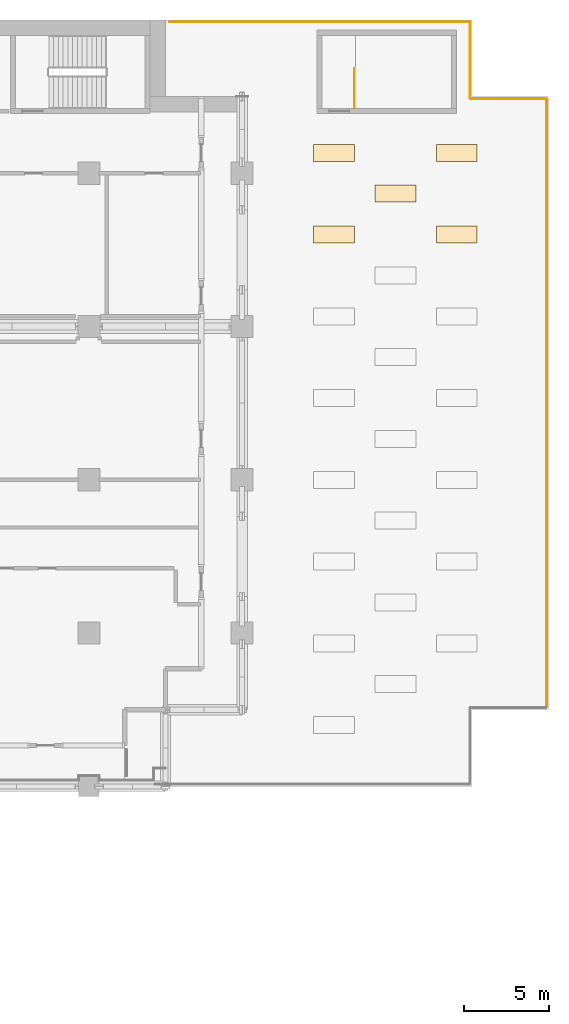
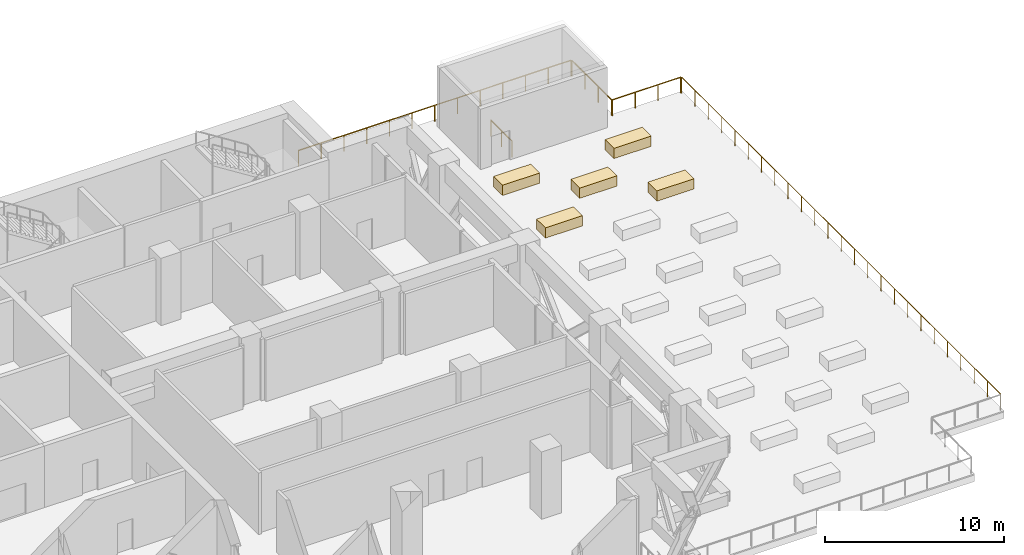
# One storey, part 22 of 22: 5 coverings, 5 railings.
"""IFC4 building model written with IfcOpenShell, lengths in metres."""

from ifc_helpers import new_model, si_unit, direction, frame, origin, origin_2d, place, context, subcontext, project, spatial, polyline, circle, outline, extrude, material, type_object, element, save


model = new_model("IFC4")

# Units and contexts
model_context = context("Model", 3, precision=1e-05, world=origin(), true_north=direction((0.0, 1.0)))
body_context = subcontext(model_context, "Body", "Model", "MODEL_VIEW")
ifc_project = project(units=[si_unit("LENGTHUNIT", "METRE"), si_unit("AREAUNIT", "SQUARE_METRE"), si_unit("VOLUMEUNIT", "CUBIC_METRE"), si_unit("PLANEANGLEUNIT", "RADIAN"), si_unit("MASSUNIT", "GRAM", prefix="KILO")], contexts=[model_context])

# Site, building, storey
site_placement = place(None, origin())
site = spatial("IfcSite", under=ifc_project, at=site_placement, CompositionType="ELEMENT")
building_placement = place(site_placement, origin())
building = spatial("IfcBuilding", under=site, at=building_placement, Name="Hunhe Ridgeline Campus", CompositionType="ELEMENT")
storey_placement = place(building_placement, frame((0.0, 0.0, 129.199951171875)))
storey = spatial("IfcBuildingStorey", under=building, at=storey_placement, Name="L32", CompositionType="ELEMENT", Elevation=129.199951171875)

# Railings
ifc_material_1 = material(Name="Steel Q355", Category="steel")
railing_type_1 = type_object("IfcRailingType", Name="Loggia guard 1100 Steel Q355", PredefinedType="GUARDRAIL", material=ifc_material_1)
railing_1_placement = place(storey_placement, frame((58.75, 98.8798828125, 0.080078125)))
element("IfcRailing", 1, at=railing_1_placement, inside=storey, type_object=railing_type_1, Name="Terrace guard 2", PredefinedType="GUARDRAIL", context=body_context, shape_type="SweptSolid", body=[
    extrude(circle(Radius=0.02392578125, at=origin_2d()), frame((0.0, 0.0, 1.076171875), z_axis=(1.0, 0.0, 0.0), x_axis=(0.0, 1.0, 0.0)), (0.0, 0.0, 1.0), 17.590087890625),
    extrude(circle(Radius=0.02099609375, at=origin_2d()), origin(), (0.0, 0.0, 1.0), 1.052001953125),
    extrude(circle(Radius=0.02099609375, at=origin_2d()), frame((1.4658203125, 0.0, 0.0)), (0.0, 0.0, 1.0), 1.052001953125),
    extrude(circle(Radius=0.02099609375, at=origin_2d()), frame((2.931640625, 0.0, 0.0)), (0.0, 0.0, 1.0), 1.052001953125),
    extrude(circle(Radius=0.02099609375, at=origin_2d()), frame((4.3974609375, 0.0, 0.0)), (0.0, 0.0, 1.0), 1.052001953125),
    extrude(circle(Radius=0.02099609375, at=origin_2d()), frame((5.86328125, 0.0, 0.0)), (0.0, 0.0, 1.0), 1.052001953125),
    extrude(circle(Radius=0.02099609375, at=origin_2d()), frame((7.3291015625, 0.0, 0.0)), (0.0, 0.0, 1.0), 1.052001953125),
    extrude(circle(Radius=0.02099609375, at=origin_2d()), frame((8.794921875, 0.0, 0.0)), (0.0, 0.0, 1.0), 1.052001953125),
    extrude(circle(Radius=0.02099609375, at=origin_2d()), frame((10.260986328125, 0.0, 0.0)), (0.0, 0.0, 1.0), 1.052001953125),
    extrude(circle(Radius=0.02099609375, at=origin_2d()), frame((11.726806640625, 0.0, 0.0)), (0.0, 0.0, 1.0), 1.052001953125),
    extrude(circle(Radius=0.02099609375, at=origin_2d()), frame((13.192626953125, 0.0, 0.0)), (0.0, 0.0, 1.0), 1.052001953125),
    extrude(circle(Radius=0.02099609375, at=origin_2d()), frame((14.658447265625, 0.0, 0.0)), (0.0, 0.0, 1.0), 1.052001953125),
    extrude(circle(Radius=0.02099609375, at=origin_2d()), frame((16.124267578125, 0.0, 0.0)), (0.0, 0.0, 1.0), 1.052001953125),
    extrude(circle(Radius=0.02099609375, at=origin_2d()), frame((17.590087890625, 0.0, 0.0)), (0.0, 0.0, 1.0), 1.052001953125),
])
railing_2_placement = place(storey_placement, frame((76.3798828125, 98.840087890625, 0.080078125)))
element("IfcRailing", 2, at=railing_2_placement, inside=storey, type_object=railing_type_1, Name="Terrace guard 3", PredefinedType="GUARDRAIL", context=body_context, shape_type="SweptSolid", body=[
    extrude(circle(Radius=0.02392578125, at=origin_2d()), frame((0.0, 0.0, 1.076171875), z_axis=(0.000110478925, -0.999999993897, 0.0), x_axis=(0.999999993897, 0.000110478925, 0.0)), (0.0, 0.0, 1.0), 4.419677734375),
    extrude(circle(Radius=0.02099609375, at=origin_2d()), origin(), (0.0, 0.0, 1.0), 1.052001953125),
    extrude(circle(Radius=0.02099609375, at=origin_2d()), frame((0.000244140625, -1.47314453125, 0.0)), (0.0, 0.0, 1.0), 1.052001953125),
    extrude(circle(Radius=0.02099609375, at=origin_2d()), frame((0.000244140625, -2.946533203125, 0.0)), (0.0, 0.0, 1.0), 1.052001953125),
    extrude(circle(Radius=0.02099609375, at=origin_2d()), frame((0.00048828125, -4.419677734375, 0.0)), (0.0, 0.0, 1.0), 1.052001953125),
])
railing_3_placement = place(storey_placement, frame((76.42041015625, 94.38037109375, 0.080078125)))
element("IfcRailing", 3, at=railing_3_placement, inside=storey, type_object=railing_type_1, Name="Terrace guard 4", PredefinedType="GUARDRAIL", context=body_context, shape_type="SweptSolid", body=[
    extrude(circle(Radius=0.02392578125, at=origin_2d()), frame((0.0, 0.0, 1.076171875), z_axis=(0.999999993897, -0.000110478925, 0.0), x_axis=(0.000110478925, 0.999999993897, 0.0)), (0.0, 0.0, 1.0), 4.419677734375),
    extrude(circle(Radius=0.02099609375, at=origin_2d()), origin(), (0.0, 0.0, 1.0), 1.052001953125),
    extrude(circle(Radius=0.02099609375, at=origin_2d()), frame((1.47314453125, -0.000244140625, 0.0)), (0.0, 0.0, 1.0), 1.052001953125),
    extrude(circle(Radius=0.02099609375, at=origin_2d()), frame((2.946533203125, -0.000244140625, 0.0)), (0.0, 0.0, 1.0), 1.052001953125),
    extrude(circle(Radius=0.02099609375, at=origin_2d()), frame((4.419677734375, -0.00048828125, 0.0)), (0.0, 0.0, 1.0), 1.052001953125),
])
railing_4_placement = place(storey_placement, frame((80.8798828125, 94.340087890625, 0.080078125)))
element("IfcRailing", 4, at=railing_4_placement, inside=storey, type_object=railing_type_1, Name="Terrace guard 5", PredefinedType="GUARDRAIL", context=body_context, shape_type="SweptSolid", body=[
    extrude(circle(Radius=0.02392578125, at=origin_2d()), frame((0.0, 0.0, 1.076171875), z_axis=(0.0, -1.0, 0.0), x_axis=(1.0, 0.0, 0.0)), (0.0, 0.0, 1.0), 35.68017578125),
    extrude(circle(Radius=0.02099609375, at=origin_2d()), origin(), (0.0, 0.0, 1.0), 1.052001953125),
    extrude(circle(Radius=0.02099609375, at=origin_2d()), frame((0.0, -1.486572265625, 0.0)), (0.0, 0.0, 1.0), 1.052001953125),
    extrude(circle(Radius=0.02099609375, at=origin_2d()), frame((0.0, -2.973388671875, 0.0)), (0.0, 0.0, 1.0), 1.052001953125),
    extrude(circle(Radius=0.02099609375, at=origin_2d()), frame((0.0, -4.4599609375, 0.0)), (0.0, 0.0, 1.0), 1.052001953125),
    extrude(circle(Radius=0.02099609375, at=origin_2d()), frame((0.0, -5.94677734375, 0.0)), (0.0, 0.0, 1.0), 1.052001953125),
    extrude(circle(Radius=0.02099609375, at=origin_2d()), frame((0.0, -7.433349609375, 0.0)), (0.0, 0.0, 1.0), 1.052001953125),
    extrude(circle(Radius=0.02099609375, at=origin_2d()), frame((0.0, -8.919921875, 0.0)), (0.0, 0.0, 1.0), 1.052001953125),
    extrude(circle(Radius=0.02099609375, at=origin_2d()), frame((0.0, -10.40673828125, 0.0)), (0.0, 0.0, 1.0), 1.052001953125),
    extrude(circle(Radius=0.02099609375, at=origin_2d()), frame((0.0, -11.893310546875, 0.0)), (0.0, 0.0, 1.0), 1.052001953125),
    extrude(circle(Radius=0.02099609375, at=origin_2d()), frame((0.0, -13.380126953125, 0.0)), (0.0, 0.0, 1.0), 1.052001953125),
    extrude(circle(Radius=0.02099609375, at=origin_2d()), frame((0.0, -14.86669921875, 0.0)), (0.0, 0.0, 1.0), 1.052001953125),
    extrude(circle(Radius=0.02099609375, at=origin_2d()), frame((0.0, -16.353515625, 0.0)), (0.0, 0.0, 1.0), 1.052001953125),
    extrude(circle(Radius=0.02099609375, at=origin_2d()), frame((0.0, -17.840087890625, 0.0)), (0.0, 0.0, 1.0), 1.052001953125),
    extrude(circle(Radius=0.02099609375, at=origin_2d()), frame((0.0, -19.32666015625, 0.0)), (0.0, 0.0, 1.0), 1.052001953125),
    extrude(circle(Radius=0.02099609375, at=origin_2d()), frame((0.0, -20.8134765625, 0.0)), (0.0, 0.0, 1.0), 1.052001953125),
    extrude(circle(Radius=0.02099609375, at=origin_2d()), frame((0.0, -22.300048828125, 0.0)), (0.0, 0.0, 1.0), 1.052001953125),
    extrude(circle(Radius=0.02099609375, at=origin_2d()), frame((0.0, -23.786865234375, 0.0)), (0.0, 0.0, 1.0), 1.052001953125),
    extrude(circle(Radius=0.02099609375, at=origin_2d()), frame((0.0, -25.2734375, 0.0)), (0.0, 0.0, 1.0), 1.052001953125),
    extrude(circle(Radius=0.02099609375, at=origin_2d()), frame((0.0, -26.76025390625, 0.0)), (0.0, 0.0, 1.0), 1.052001953125),
    extrude(circle(Radius=0.02099609375, at=origin_2d()), frame((0.0, -28.246826171875, 0.0)), (0.0, 0.0, 1.0), 1.052001953125),
    extrude(circle(Radius=0.02099609375, at=origin_2d()), frame((0.0, -29.7333984375, 0.0)), (0.0, 0.0, 1.0), 1.052001953125),
    extrude(circle(Radius=0.02099609375, at=origin_2d()), frame((0.0, -31.22021484375, 0.0)), (0.0, 0.0, 1.0), 1.052001953125),
    extrude(circle(Radius=0.02099609375, at=origin_2d()), frame((0.0, -32.706787109375, 0.0)), (0.0, 0.0, 1.0), 1.052001953125),
    extrude(circle(Radius=0.02099609375, at=origin_2d()), frame((0.0, -34.193603515625, 0.0)), (0.0, 0.0, 1.0), 1.052001953125),
    extrude(circle(Radius=0.02099609375, at=origin_2d()), frame((0.0, -35.68017578125, 0.0)), (0.0, 0.0, 1.0), 1.052001953125),
])

# Coverings
ifc_material_2 = material(Name="Planting soil")
covering_type = type_object("IfcCoveringType", Name="Planter box 700 planting soil", PredefinedType="USERDEFINED", material=ifc_material_2)
covering_1_placement = place(storey_placement, frame((0.0, 0.0, 0.080078125)))
element("IfcCovering", 5, at=covering_1_placement, inside=storey, type_object=covering_type, Name="Planter 7", ObjectType="PLANTER", PredefinedType="USERDEFINED", context=body_context, shape_type="SweptSolid", body=[
    extrude(outline(polyline([(67.199951171875, 85.89990234375), (69.60009765625, 85.89990234375), (69.60009765625, 86.89990234375), (67.199951171875, 86.89990234375), (67.199951171875, 85.89990234375)])), origin(), (0.0, 0.0, 1.0), 0.699951171875),
])
covering_2_placement = place(storey_placement, frame((0.0, 0.0, 0.080078125)))
element("IfcCovering", 6, at=covering_2_placement, inside=storey, type_object=covering_type, Name="Planter 8", ObjectType="PLANTER", PredefinedType="USERDEFINED", context=body_context, shape_type="SweptSolid", body=[
    extrude(outline(polyline([(67.199951171875, 90.699951171875), (69.60009765625, 90.699951171875), (69.60009765625, 91.699951171875), (67.199951171875, 91.699951171875), (67.199951171875, 90.699951171875)])), origin(), (0.0, 0.0, 1.0), 0.699951171875),
])
covering_3_placement = place(storey_placement, frame((0.0, 0.0, 0.080078125)))
element("IfcCovering", 7, at=covering_3_placement, inside=storey, type_object=covering_type, Name="Planter 15", ObjectType="PLANTER", PredefinedType="USERDEFINED", context=body_context, shape_type="SweptSolid", body=[
    extrude(outline(polyline([(70.800048828125, 88.300048828125), (73.199951171875, 88.300048828125), (73.199951171875, 89.300048828125), (70.800048828125, 89.300048828125), (70.800048828125, 88.300048828125)])), origin(), (0.0, 0.0, 1.0), 0.699951171875),
])
covering_4_placement = place(storey_placement, frame((0.0, 0.0, 0.080078125)))
element("IfcCovering", 8, at=covering_4_placement, inside=storey, type_object=covering_type, Name="Planter 21", ObjectType="PLANTER", PredefinedType="USERDEFINED", context=body_context, shape_type="SweptSolid", body=[
    extrude(outline(polyline([(74.39990234375, 85.89990234375), (76.800048828125, 85.89990234375), (76.800048828125, 86.89990234375), (74.39990234375, 86.89990234375), (74.39990234375, 85.89990234375)])), origin(), (0.0, 0.0, 1.0), 0.699951171875),
])
covering_5_placement = place(storey_placement, frame((0.0, 0.0, 0.080078125)))
element("IfcCovering", 9, at=covering_5_placement, inside=storey, type_object=covering_type, Name="Planter 22", ObjectType="PLANTER", PredefinedType="USERDEFINED", context=body_context, shape_type="SweptSolid", body=[
    extrude(outline(polyline([(74.39990234375, 90.699951171875), (76.800048828125, 90.699951171875), (76.800048828125, 91.699951171875), (74.39990234375, 91.699951171875), (74.39990234375, 90.699951171875)])), origin(), (0.0, 0.0, 1.0), 0.699951171875),
])

# Railing
ifc_material_3 = material(Name="Stainless steel balustrade", Category="steel")
railing_type_2 = type_object("IfcRailingType", Name="Stair guard 1100 stainless", PredefinedType="GUARDRAIL", material=ifc_material_3)
railing_5_placement = place(storey_placement, frame((69.60009765625, 93.800048828125, 0.0)))
element("IfcRailing", 10, at=railing_5_placement, inside=storey, type_object=railing_type_2, Name="L32 stair E3 top guard 1", PredefinedType="GUARDRAIL", context=body_context, shape_type="SweptSolid", body=[
    extrude(circle(Radius=0.02392578125, at=origin_2d()), frame((0.0, 0.0, 1.076171875), z_axis=(0.0, 1.0, 0.0), x_axis=(-1.0, 0.0, 0.0)), (0.0, 0.0, 1.0), 2.349853515625),
    extrude(circle(Radius=0.02099609375, at=origin_2d()), origin(), (0.0, 0.0, 1.0), 1.052001953125),
    extrude(circle(Radius=0.02099609375, at=origin_2d()), frame((0.0, 1.1748046875, 0.0)), (0.0, 0.0, 1.0), 1.052001953125),
    extrude(circle(Radius=0.02099609375, at=origin_2d()), frame((0.0, 2.349853515625, 0.0)), (0.0, 0.0, 1.0), 1.052001953125),
])

save(model, "model.ifc")
